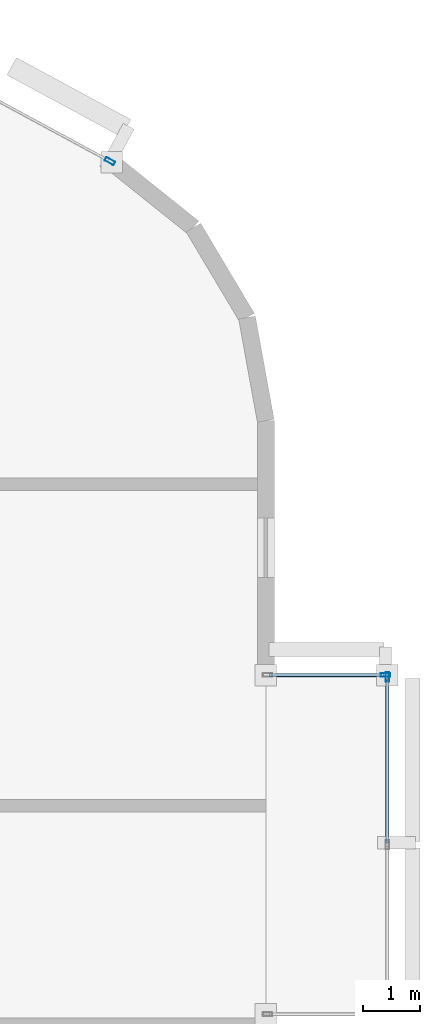
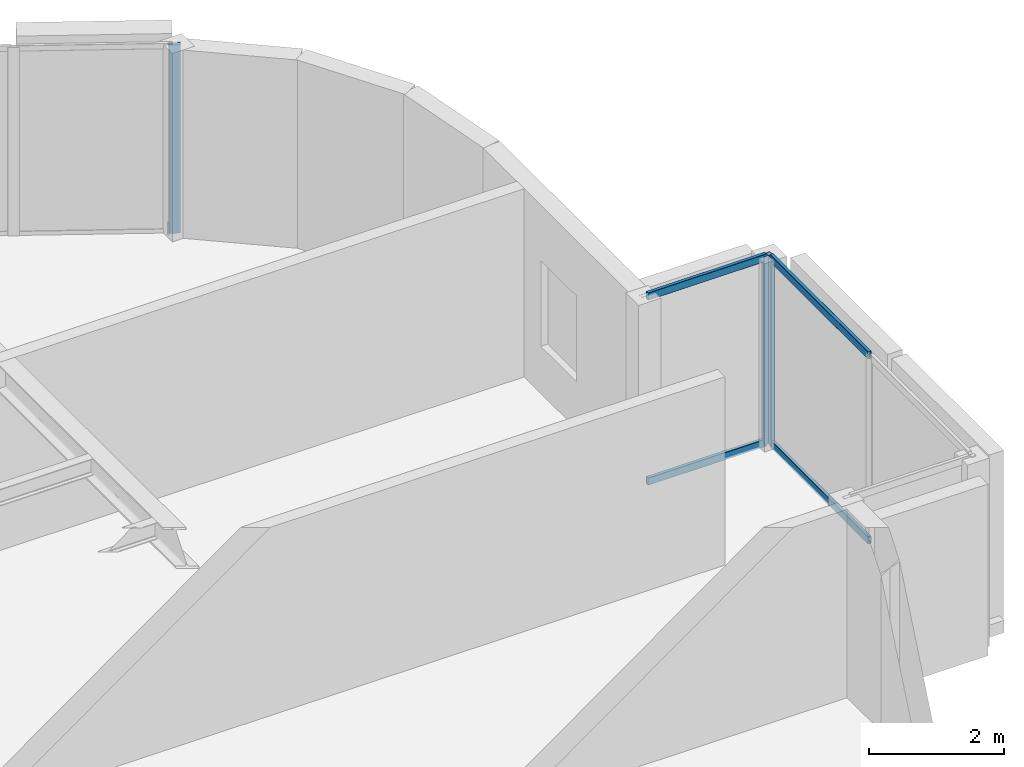
# One storey, part 7 of 14: 7 members, 3 elements without a shape of their own.
"""IFC4 building model written with IfcOpenShell, lengths in metres."""

import ifcopenshell
import ifcopenshell.guid

model = None  # the IFC model being written
_history = None  # IfcOwnerHistory: only IFC2X3 demands one
_inside = {}  # id of a spatial element -> (the spatial element, [elements in it])
_under = {}  # id of a project, library or spatial element -> (it, [spatial elements below it])
_declared = {}  # id of a project -> (the project, [libraries it declares])
_typed = {}  # id of a type object -> (the type object, [elements of that type])
_made_of = {}  # id of a material, layer set ... -> (it, [elements and type objects made of it])


def new_model(schema):
    """Start an empty IFC model of exactly this schema.

    Asked for "IFC4X3", IfcOpenShell would pick the latest addendum, in which some entities
    have other attributes; the version numbers below select the first issue.
    IFC2X3 requires an IfcOwnerHistory on every rooted entity: one is made here for all.
    """
    global model, _history
    if schema == "IFC4X3":
        model = ifcopenshell.file(schema_version=(4, 3, 0, 0))
    else:
        model = ifcopenshell.file(schema=schema)
    _inside.clear()
    _under.clear()
    _declared.clear()
    _typed.clear()
    _made_of.clear()
    _history = None
    if model.schema == "IFC2X3":
        org = make("IfcOrganization", Name="unknown")
        user = make(
            "IfcPersonAndOrganization",
            ThePerson=make("IfcPerson", FamilyName="unknown"),
            TheOrganization=org,
        )
        app = make(
            "IfcApplication",
            ApplicationDeveloper=org,
            Version="unknown",
            ApplicationFullName="unknown",
            ApplicationIdentifier="unknown",
        )
        _history = make(
            "IfcOwnerHistory",
            OwningUser=user,
            OwningApplication=app,
            ChangeAction="ADDED",
            CreationDate=0,
        )
    return model


def make(cls, **values):
    """One entity of the class cls with the attributes given. An attribute that is None is left unset."""
    return model.create_entity(
        cls, **{name: value for name, value in values.items() if value is not None}
    )


def rooted(cls, **values):
    """An entity with a GlobalId (a new one), such as an element, a storey or a relation."""
    return make(cls, GlobalId=ifcopenshell.guid.new(), OwnerHistory=_history, **values)


def si_unit(unit_type, name, prefix=None):
    """IfcSIUnit, for example si_unit("LENGTHUNIT", "METRE", prefix="MILLI")."""
    return make("IfcSIUnit", UnitType=unit_type, Prefix=prefix, Name=name)


def assignment(units):
    """IfcUnitAssignment: the units of a project."""
    return None if units is None else make("IfcUnitAssignment", Units=units)


def point(xyz):
    """IfcCartesianPoint."""
    return None if xyz is None else make("IfcCartesianPoint", Coordinates=xyz)


def direction(xyz):
    """IfcDirection."""
    return None if xyz is None else make("IfcDirection", DirectionRatios=xyz)


def frame(location, z_axis=None, x_axis=None):
    """IfcAxis2Placement3D, a coordinate frame: its origin and axes. An axis left out is left unset."""
    return make(
        "IfcAxis2Placement3D",
        Location=point(location),
        Axis=direction(z_axis),
        RefDirection=direction(x_axis),
    )


def frame_2d(location, x_axis=None):
    """IfcAxis2Placement2D, a coordinate frame in the plane: its origin and x axis."""
    return make(
        "IfcAxis2Placement2D", Location=point(location), RefDirection=direction(x_axis)
    )


def origin():
    """The frame at (0, 0, 0) with its axes left unset."""
    return frame((0.0, 0.0, 0.0))


def origin_2d():
    """The frame at (0, 0) in the plane with its x axis left unset."""
    return frame_2d((0.0, 0.0))


def place(relative_to, where):
    """IfcLocalPlacement: puts the frame where relative to a parent placement (None: the world)."""
    return make(
        "IfcLocalPlacement", PlacementRelTo=relative_to, RelativePlacement=where
    )


def context(
    kind, dimensions, precision=None, world=None, true_north=None, identifier=None
):
    """IfcGeometricRepresentationContext, for example the 3D "Model" context."""
    return make(
        "IfcGeometricRepresentationContext",
        ContextIdentifier=identifier,
        ContextType=kind,
        CoordinateSpaceDimension=dimensions,
        Precision=precision,
        WorldCoordinateSystem=world,
        TrueNorth=true_north,
    )


def subcontext(parent, identifier, kind, view, scale=None):
    """IfcGeometricRepresentationSubContext, for example "Body" below "Model"."""
    return make(
        "IfcGeometricRepresentationSubContext",
        ContextIdentifier=identifier,
        ContextType=kind,
        ParentContext=parent,
        TargetScale=scale,
        TargetView=view,
    )


def project(units=None, contexts=None):
    """IfcProject with its units and contexts."""
    return rooted(
        "IfcProject",
        Name="project",
        RepresentationContexts=contexts,
        UnitsInContext=assignment(units),
    )


def spatial(cls, under=None, at=None, **own):
    """A site, building, storey or space (cls), placed at a placement, below another one or the project."""
    s = rooted(cls, ObjectPlacement=at, **own)
    if under is not None:
        _under.setdefault(under.id(), (under, []))[1].append(s)
    return s


def profile(cls, at=None, kind="AREA", **sizes):
    """A parametric profile (cls). Its sizes go by their IFC names, for example OverallWidth=200.0."""
    return make(cls, ProfileType=kind, Position=at, **sizes)


def hollow_rectangle(**sizes):
    """IfcRectangleHollowProfileDef."""
    return profile("IfcRectangleHollowProfileDef", **sizes)


def extrude(swept, where, along, depth):
    """IfcExtrudedAreaSolid: the profile swept, set in the frame where, extruded along a direction by depth."""
    return make(
        "IfcExtrudedAreaSolid",
        SweptArea=swept,
        Position=where,
        ExtrudedDirection=direction(along),
        Depth=depth,
    )


def shape(context_of_items, identifier, shape_type, items):
    """IfcShapeRepresentation: the items that make up one representation, for example the "Body"."""
    return make(
        "IfcShapeRepresentation",
        ContextOfItems=context_of_items,
        RepresentationIdentifier=identifier,
        RepresentationType=shape_type,
        Items=items,
    )


def material(Name=None, Category=None):
    """IfcMaterial."""
    return make("IfcMaterial", Name=Name, Category=Category)


def layer(
    of_material, thickness, ventilated=None, Name=None, Category=None, Priority=None
):
    """IfcMaterialLayer: one layer of a wall or slab, of a material (None: an air gap)."""
    return make(
        "IfcMaterialLayer",
        Material=of_material,
        LayerThickness=thickness,
        IsVentilated=ventilated,
        Name=Name,
        Category=Category,
        Priority=Priority,
    )


def layer_set(layers, Name=None):
    """IfcMaterialLayerSet."""
    return make("IfcMaterialLayerSet", MaterialLayers=layers, LayerSetName=Name)


def material_profile(
    of_material, cross_section, Name=None, Category=None, Priority=None
):
    """IfcMaterialProfile: a cross section and its material."""
    return make(
        "IfcMaterialProfile",
        Name=Name,
        Material=of_material,
        Profile=cross_section,
        Priority=Priority,
        Category=Category,
    )


def profile_set(profiles, Name=None, composite=None):
    """IfcMaterialProfileSet."""
    return make(
        "IfcMaterialProfileSet",
        Name=Name,
        MaterialProfiles=profiles,
        CompositeProfile=composite,
    )


def made_of(thing, what):
    """Note that an element or type object is made of a material, layer set ...; save() writes the relation."""
    if what is not None:
        _made_of.setdefault(what.id(), (what, []))[1].append(thing)
    return thing


def type_object(cls, material=None, **own):
    """A type object (cls), such as IfcWallType, which elements share."""
    return made_of(rooted(cls, **own), material)


def element(
    cls,
    number,
    at=None,
    inside=None,
    cuts=None,
    type_object=None,
    material=None,
    context=None,
    identifier="Body",
    shape_type=None,
    held_by="IfcProductDefinitionShape",
    body=None,
    shapes=None,
    **own,
):
    """One element of the class cls, such as IfcWall. Its Tag is "e" and its number.

    at: its placement. inside: the storey or other place that contains it. cuts: it is an
    opening in that element (IfcRelVoidsElement). A single representation is given by context,
    identifier, shape_type and body (its items); several are given by shapes. held_by: the class
    of the entity that holds the representations. save() writes the other relations.
    """
    e = rooted(cls, Tag="e%d" % number, ObjectPlacement=at, **own)
    if body is not None:
        shapes = [shape(context, identifier, shape_type, body)]
    if shapes is not None:
        e.Representation = make(held_by, Representations=shapes)
    if inside is not None:
        _inside.setdefault(inside.id(), (inside, []))[1].append(e)
    if cuts is not None:
        rooted(
            "IfcRelVoidsElement", RelatingBuildingElement=cuts, RelatedOpeningElement=e
        )
    if type_object is not None:
        _typed.setdefault(type_object.id(), (type_object, []))[1].append(e)
    return made_of(e, material)


def aggregate(whole, parts):
    """IfcRelAggregates: a whole, such as a stair, and the parts it consists of."""
    return rooted("IfcRelAggregates", RelatingObject=whole, RelatedObjects=parts)


def save(model, path):
    """Write the relations noted so far, then the file.

    IfcRelAggregates (storeys below a building ...), IfcRelContainedInSpatialStructure (elements
    in a storey), IfcRelDefinesByType, IfcRelAssociatesMaterial and IfcRelDeclares: one each for
    every whole, place, type object, material and project.
    """
    for whole, parts in _under.values():
        aggregate(whole, parts)
    for where, things in _inside.values():
        rooted(
            "IfcRelContainedInSpatialStructure",
            RelatedElements=things,
            RelatingStructure=where,
        )
    for kind, things in _typed.values():
        rooted("IfcRelDefinesByType", RelatedObjects=things, RelatingType=kind)
    for what, things in _made_of.values():
        rooted("IfcRelAssociatesMaterial", RelatedObjects=things, RelatingMaterial=what)
    for by, libraries in _declared.values():
        rooted("IfcRelDeclares", RelatingContext=by, RelatedDefinitions=libraries)
    model.write(path)


model = new_model("IFC4")

# Units and contexts
model_context = context("Model", 3, precision=1e-05, world=origin(), true_north=direction((0.0, 1.0)))
body_context = subcontext(model_context, "Body", "Model", "MODEL_VIEW")
ifc_project = project(units=[si_unit("LENGTHUNIT", "METRE"), si_unit("AREAUNIT", "SQUARE_METRE"), si_unit("VOLUMEUNIT", "CUBIC_METRE"), si_unit("PLANEANGLEUNIT", "RADIAN"), si_unit("MASSUNIT", "GRAM", prefix="KILO")], contexts=[model_context])

# Site, building, storey
site_placement = place(None, origin())
site = spatial("IfcSite", under=ifc_project, at=site_placement, CompositionType="ELEMENT")
building_placement = place(site_placement, origin())
building = spatial("IfcBuilding", under=site, at=building_placement, Name="An Khanh Terracotta Commons", CompositionType="ELEMENT")
storey_placement = place(building_placement, frame((0.0, 0.0, 219.300048828125)))
storey = spatial("IfcBuildingStorey", under=building, at=storey_placement, Name="L57", CompositionType="ELEMENT", Elevation=219.300048828125)

# Curtain wall, member
ifc_material = material(Name="Anodised Aluminium 6063-T6", Category="aluminium")
ifc_layer_1 = layer(ifc_material, 0.239990234375, Name="Anodised Aluminium 6063-T6")
ifc_layer_set_1 = layer_set([ifc_layer_1], Name="Anodised Aluminium 6063-T6")
curtain_wall_type_1 = type_object("IfcCurtainWallType", Name="CW-SYS-04", PredefinedType="USERDEFINED", material=ifc_layer_set_1)
curtain_wall_1_placement = place(storey_placement, origin())
curtain_wall_1 = element("IfcCurtainWall", 1, at=curtain_wall_1_placement, inside=storey, type_object=curtain_wall_type_1, Name="L57 CW-04 Unitised Curtain Wall CW-L57-EBOX-1", ObjectType="UNITISED CURTAIN WALL", PredefinedType="USERDEFINED")
ifc_material_profile_1 = material_profile(ifc_material, hollow_rectangle(XDim=0.06494140625, YDim=0.1650390625, WallThickness=0.00390625, InnerFilletRadius=0.00390625, OuterFilletRadius=0.008056640625, at=origin_2d()), Name="RHS165x65x4")
ifc_profile_set_1 = profile_set([ifc_material_profile_1], Name="Anodised Aluminium 6063-T6")
member_type_1 = type_object("IfcMemberType", Name="CWM-RHS165x65x4", PredefinedType="MULLION", material=ifc_profile_set_1)
member_1_placement = place(storey_placement, frame((70.75, 25.367431640625, 0.0), z_axis=(0.0, 0.0, 1.0), x_axis=(-1.0, 0.0, 0.0)))
member_1 = element("IfcMember", 2, at=member_1_placement, type_object=member_type_1, Name="CW-04 mullion 3", PredefinedType="MULLION", context=body_context, shape_type="SweptSolid", body=[
    extrude(hollow_rectangle(XDim=0.06494140625, YDim=0.1650390625, WallThickness=0.00390625, InnerFilletRadius=0.00390625, OuterFilletRadius=0.008056640625, at=origin_2d()), origin(), (0.0, 0.0, 1.0), 3.39990234375),
])

curtain_wall_2_placement = place(storey_placement, origin())
curtain_wall_2 = element("IfcCurtainWall", 3, at=curtain_wall_2_placement, inside=storey, type_object=curtain_wall_type_1, Name="L57 CW-04 Unitised Curtain Wall CW-L57-EBOX-3", ObjectType="UNITISED CURTAIN WALL", PredefinedType="USERDEFINED")
member_2_placement = place(storey_placement, frame((70.717529296875, 25.39990234375, 0.0), z_axis=(0.0, 0.0, 1.0), x_axis=(0.0, -1.0, 0.0)))
member_2 = element("IfcMember", 4, at=member_2_placement, type_object=member_type_1, Name="CW-04 mullion 1", PredefinedType="MULLION", context=body_context, shape_type="SweptSolid", body=[
    extrude(hollow_rectangle(XDim=0.06494140625, YDim=0.1650390625, WallThickness=0.00390625, InnerFilletRadius=0.00390625, OuterFilletRadius=0.008056640625, at=origin_2d()), origin(), (0.0, 0.0, 1.0), 3.39990234375),
])

ifc_layer_2 = layer(ifc_material, 0.2099609375, Name="Anodised Aluminium 6063-T6")
ifc_layer_set_2 = layer_set([ifc_layer_2], Name="Anodised Aluminium 6063-T6")
curtain_wall_type_2 = type_object("IfcCurtainWallType", Name="CW-SYS-03", PredefinedType="USERDEFINED", material=ifc_layer_set_2)
curtain_wall_3_placement = place(storey_placement, origin())
curtain_wall_3 = element("IfcCurtainWall", 5, at=curtain_wall_3_placement, inside=storey, type_object=curtain_wall_type_2, Name="L57 CW-03 Unitised Curtain Wall CW-L57-16", ObjectType="UNITISED CURTAIN WALL", PredefinedType="USERDEFINED")
ifc_material_profile_2 = material_profile(ifc_material, hollow_rectangle(XDim=0.070068359375, YDim=0.179931640625, WallThickness=0.00390625, InnerFilletRadius=0.00390625, OuterFilletRadius=0.008056640625, at=origin_2d()), Name="RHS180x70x4")
ifc_profile_set_2 = profile_set([ifc_material_profile_2], Name="Anodised Aluminium 6063-T6")
member_type_2 = type_object("IfcMemberType", Name="CWM-RHS180x70x4", PredefinedType="MULLION", material=ifc_profile_set_2)
member_3_placement = place(storey_placement, frame((65.84130859375, 34.49072265625, 0.0), z_axis=(0.0, 0.0, 1.0), x_axis=(-0.47538088298, -0.879780095306, 0.0)))
member_3 = element("IfcMember", 6, at=member_3_placement, type_object=member_type_2, Name="CW-03 mullion 1", PredefinedType="MULLION", context=body_context, shape_type="SweptSolid", body=[
    extrude(hollow_rectangle(XDim=0.070068359375, YDim=0.179931640625, WallThickness=0.00390625, InnerFilletRadius=0.00390625, OuterFilletRadius=0.008056640625, at=origin_2d()), origin(), (0.0, 0.0, 1.0), 3.39990234375),
])
aggregate(curtain_wall_3, [member_3])

# Member
ifc_material_profile_3 = material_profile(ifc_material, hollow_rectangle(XDim=0.06005859375, YDim=0.135009765625, WallThickness=0.003662109375, InnerFilletRadius=0.003662109375, OuterFilletRadius=0.007080078125, at=origin_2d()), Name="RHS135x60x3.6")
ifc_profile_set_3 = profile_set([ifc_material_profile_3], Name="Anodised Aluminium 6063-T6")
member_type_3 = type_object("IfcMemberType", Name="CWT-RHS135x60x3.6", PredefinedType="USERDEFINED", material=ifc_profile_set_3)
member_4_placement = place(storey_placement, frame((70.75, 22.4326171875, 0.030029296875), z_axis=(0.0, 1.0, 0.0), x_axis=(-1.0, 0.0, 0.0)))
member_4 = element("IfcMember", 7, at=member_4_placement, type_object=member_type_3, Name="CW-04 transom 2.1", ObjectType="TRANSOM", PredefinedType="USERDEFINED", context=body_context, shape_type="SweptSolid", body=[
    extrude(hollow_rectangle(XDim=0.06005859375, YDim=0.135009765625, WallThickness=0.003662109375, InnerFilletRadius=0.003662109375, OuterFilletRadius=0.007080078125, at=origin_2d()), origin(), (0.0, 0.0, 1.0), 2.90234375),
])

member_5_placement = place(storey_placement, frame((70.75, 22.4326171875, 3.369873046875), z_axis=(0.0, 1.0, 0.0), x_axis=(-1.0, 0.0, 0.0)))
member_5 = element("IfcMember", 8, at=member_5_placement, type_object=member_type_3, Name="CW-04 transom 2.2", ObjectType="TRANSOM", PredefinedType="USERDEFINED", context=body_context, shape_type="SweptSolid", body=[
    extrude(hollow_rectangle(XDim=0.06005859375, YDim=0.135009765625, WallThickness=0.003662109375, InnerFilletRadius=0.003662109375, OuterFilletRadius=0.007080078125, at=origin_2d()), origin(), (0.0, 0.0, 1.0), 2.90234375),
])

aggregate(curtain_wall_1, [member_1, member_4, member_5])

member_6_placement = place(storey_placement, frame((70.68505859375, 25.39990234375, 0.030029296875), z_axis=(-1.0, 0.0, 0.0), x_axis=(0.0, -1.0, 0.0)))
member_6 = element("IfcMember", 9, at=member_6_placement, type_object=member_type_3, Name="CW-04 transom 1.1", ObjectType="TRANSOM", PredefinedType="USERDEFINED", context=body_context, shape_type="SweptSolid", body=[
    extrude(hollow_rectangle(XDim=0.06005859375, YDim=0.135009765625, WallThickness=0.003662109375, InnerFilletRadius=0.003662109375, OuterFilletRadius=0.007080078125, at=origin_2d()), origin(), (0.0, 0.0, 1.0), 2.02001953125),
])

member_7_placement = place(storey_placement, frame((70.68505859375, 25.39990234375, 3.369873046875), z_axis=(-1.0, 0.0, 0.0), x_axis=(0.0, -1.0, 0.0)))
member_7 = element("IfcMember", 10, at=member_7_placement, type_object=member_type_3, Name="CW-04 transom 1.2", ObjectType="TRANSOM", PredefinedType="USERDEFINED", context=body_context, shape_type="SweptSolid", body=[
    extrude(hollow_rectangle(XDim=0.06005859375, YDim=0.135009765625, WallThickness=0.003662109375, InnerFilletRadius=0.003662109375, OuterFilletRadius=0.007080078125, at=origin_2d()), origin(), (0.0, 0.0, 1.0), 2.02001953125),
])

aggregate(curtain_wall_2, [member_2, member_6, member_7])

save(model, "model.ifc")
